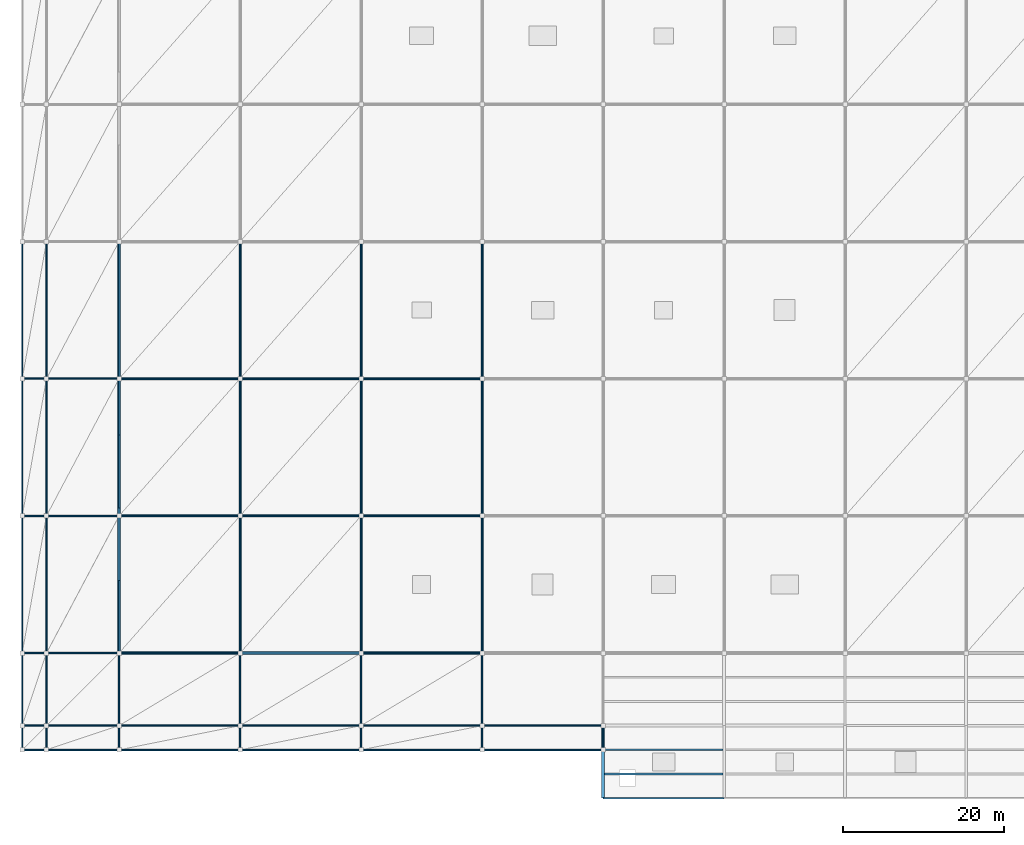
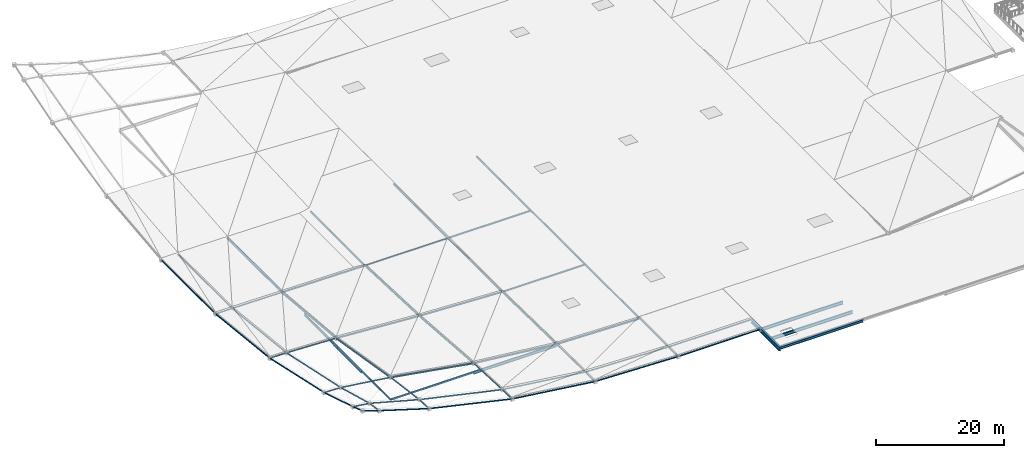
# One storey, part 10 of 69: 58 members, 9 beams.
"""IFC4 building model written with IfcOpenShell, lengths in metres."""

from ifc_helpers import new_model, si_unit, direction, frame, origin, origin_2d, place, context, subcontext, project, spatial, hollow_rectangle, hollow_circle, i_section, extrude, material, material_profile, profile_set, type_object, element, save


model = new_model("IFC4")

# Units and contexts
model_context = context("Model", 3, precision=1e-05, world=origin(), true_north=direction((0.0, 1.0)))
body_context = subcontext(model_context, "Body", "Model", "MODEL_VIEW")
ifc_project = project(units=[si_unit("LENGTHUNIT", "METRE"), si_unit("AREAUNIT", "SQUARE_METRE"), si_unit("VOLUMEUNIT", "CUBIC_METRE"), si_unit("PLANEANGLEUNIT", "RADIAN"), si_unit("MASSUNIT", "GRAM", prefix="KILO")], contexts=[model_context])

# Site, building, storey
site_placement = place(None, origin())
site = spatial("IfcSite", under=ifc_project, at=site_placement, CompositionType="ELEMENT")
building_placement = place(site_placement, origin())
building = spatial("IfcBuilding", under=site, at=building_placement, Name="Qamarlyn Nura Convention Centre", CompositionType="ELEMENT")
storey_placement = place(building_placement, frame((0.0, 0.0, 15.60009765625)))
storey = spatial("IfcBuildingStorey", under=building, at=storey_placement, Name="L03", CompositionType="ELEMENT", Elevation=15.60009765625)

# Beams
ifc_material_1 = material(Name="Steel ASTM A992", Category="steel")
ifc_material_profile_1 = material_profile(ifc_material_1, i_section(OverallWidth=0.35498046875, OverallDepth=0.695068359375, WebThickness=0.015380859375, FlangeThickness=0.02490234375, FilletRadius=0.01806640625, at=origin_2d()), Name="W690X217")
ifc_profile_set_1 = profile_set([ifc_material_profile_1], Name="Steel ASTM A992")
beam_type_1 = type_object("IfcBeamType", Name="BM-GIRD-690A", PredefinedType="BEAM", material=ifc_profile_set_1)
beam_1_placement = place(storey_placement, frame((60.0, 0.0, -0.572509765625), z_axis=(0.0, 1.0, 0.0), x_axis=(-1.0, 0.0, 0.0)))
element("IfcBeam", 1, at=beam_1_placement, inside=storey, type_object=beam_type_1, Name="L03 girder 5 A-B", PredefinedType="BEAM", context=body_context, shape_type="SweptSolid", body=[
    extrude(i_section(OverallWidth=0.35498046875, OverallDepth=0.695068359375, WebThickness=0.015380859375, FlangeThickness=0.02490234375, FilletRadius=0.01806640625, at=origin_2d()), origin(), (0.0, 0.0, 1.0), 9.0),
])
ifc_material_profile_2 = material_profile(ifc_material_1, i_section(OverallWidth=0.22802734375, OverallDepth=0.60791015625, WebThickness=0.01123046875, FlangeThickness=0.017333984375, FilletRadius=0.01611328125, at=origin_2d()), Name="W610X113")
ifc_profile_set_2 = profile_set([ifc_material_profile_2], Name="Steel ASTM A992")
beam_type_2 = type_object("IfcBeamType", Name="BM-JOIST-610", PredefinedType="JOIST", material=ifc_profile_set_2)
for number, where, z_axis, x_axis, name in (
    (2, (60.177490234375, 3.0, -0.47900390625), (1.0, 0.0, 0.0), (0.0, 1.0, 0.0), "L03 composite joist 5-6/A+1"),
    (3, (60.177490234375, 6.0, -0.47900390625), (1.0, 0.0, 0.0), (0.0, 1.0, 0.0), "L03 composite joist 5-6/A+2"),
):
    element("IfcBeam", number, at=place(storey_placement, frame(where, z_axis=z_axis, x_axis=x_axis)), inside=storey, type_object=beam_type_2, Name=name, PredefinedType="JOIST", context=body_context, shape_type="SweptSolid", body=[
        extrude(i_section(OverallWidth=0.22802734375, OverallDepth=0.60791015625, WebThickness=0.01123046875, FlangeThickness=0.017333984375, FilletRadius=0.01611328125, at=origin_2d()), origin(), (0.0, 0.0, 1.0), 14.660400390625),
    ])
ifc_material_profile_3 = material_profile(ifc_material_1, i_section(OverallWidth=0.193115234375, OverallDepth=0.466064453125, WebThickness=0.011474609375, FlangeThickness=0.01904296875, FilletRadius=0.012939453125, at=origin_2d()), Name="W460X97")
ifc_profile_set_3 = profile_set([ifc_material_profile_3], Name="Steel ASTM A992")
beam_type_3 = type_object("IfcBeamType", Name="BM-SPAN-460", PredefinedType="SPANDREL", material=ifc_profile_set_3)
beam_2_placement = place(storey_placement, frame((60.0, 0.0, -0.408203125), z_axis=(1.0, 0.0, 0.0), x_axis=(0.0, 1.0, 0.0)))
element("IfcBeam", 4, at=beam_2_placement, inside=storey, type_object=beam_type_3, Name="L03 girder A 5-6", PredefinedType="SPANDREL", context=body_context, shape_type="SweptSolid", body=[
    extrude(i_section(OverallWidth=0.193115234375, OverallDepth=0.466064453125, WebThickness=0.011474609375, FlangeThickness=0.01904296875, FilletRadius=0.012939453125, at=origin_2d()), origin(), (0.0, 0.0, 1.0), 15.0),
])
beam_3_placement = place(storey_placement, frame((0.0, 36.0, -0.233154296875), z_axis=(0.0, 1.0, 0.0), x_axis=(-1.0, 0.0, 0.0)))
element("IfcBeam", 5, at=beam_3_placement, inside=storey, type_object=beam_type_3, Name="L03 girder 1 E-F", PredefinedType="SPANDREL", context=body_context, shape_type="SweptSolid", body=[
    extrude(i_section(OverallWidth=0.193115234375, OverallDepth=0.466064453125, WebThickness=0.011474609375, FlangeThickness=0.01904296875, FilletRadius=0.012939453125, at=origin_2d()), origin(), (0.0, 0.0, 1.0), 9.0),
])
ifc_material_profile_4 = material_profile(ifc_material_1, i_section(OverallWidth=0.2109375, OverallDepth=0.5390625, WebThickness=0.01171875, FlangeThickness=0.018798828125, FilletRadius=0.013916015625, at=origin_2d()), Name="W530X109")
ifc_profile_set_4 = profile_set([ifc_material_profile_4], Name="Steel ASTM A992")
beam_type_4 = type_object("IfcBeamType", Name="BM-SPAN-530", PredefinedType="SPANDREL", material=ifc_profile_set_4)
beam_4_placement = place(storey_placement, frame((15.0, 18.0, -0.26953125), z_axis=(1.0, 0.0, 0.0), x_axis=(0.0, 1.0, 0.0)))
element("IfcBeam", 6, at=beam_4_placement, inside=storey, type_object=beam_type_4, Name="L03 girder C 2-3", PredefinedType="SPANDREL", context=body_context, shape_type="SweptSolid", body=[
    extrude(i_section(OverallWidth=0.2109375, OverallDepth=0.5390625, WebThickness=0.01171875, FlangeThickness=0.018798828125, FilletRadius=0.013916015625, at=origin_2d()), origin(), (0.0, 0.0, 1.0), 15.0),
])
beam_5_placement = place(storey_placement, frame((0.0, 27.0, -0.26953125), z_axis=(0.0, 1.0, 0.0), x_axis=(-1.0, 0.0, 0.0)))
element("IfcBeam", 7, at=beam_5_placement, inside=storey, type_object=beam_type_4, Name="L03 girder 1 D-E", PredefinedType="SPANDREL", context=body_context, shape_type="SweptSolid", body=[
    extrude(i_section(OverallWidth=0.2109375, OverallDepth=0.5390625, WebThickness=0.01171875, FlangeThickness=0.018798828125, FilletRadius=0.013916015625, at=origin_2d()), origin(), (0.0, 0.0, 1.0), 9.0),
])
ifc_material_2 = material(Name="Steel ASTM A500 Grade C", Category="steel")
ifc_material_profile_5 = material_profile(ifc_material_2, hollow_rectangle(XDim=0.199951171875, YDim=0.300048828125, WallThickness=0.012451171875, InnerFilletRadius=0.012451171875, OuterFilletRadius=0.02490234375, at=origin_2d()), Name="HSS300X200X12.5")
ifc_profile_set_5 = profile_set([ifc_material_profile_5], Name="Steel ASTM A500 Grade C")
beam_type_5 = type_object("IfcBeamType", Name="BM-SPAN-HSS", PredefinedType="SPANDREL", material=ifc_profile_set_5)
beam_6_placement = place(storey_placement, frame((0.0, 18.0, -0.150146484375), z_axis=(1.0, 0.0, 0.0), x_axis=(0.0, 1.0, 0.0)))
element("IfcBeam", 8, at=beam_6_placement, inside=storey, type_object=beam_type_5, Name="L03 girder C 1-2", PredefinedType="SPANDREL", context=body_context, shape_type="SweptSolid", body=[
    extrude(hollow_rectangle(XDim=0.199951171875, YDim=0.300048828125, WallThickness=0.012451171875, InnerFilletRadius=0.012451171875, OuterFilletRadius=0.02490234375, at=origin_2d()), origin(), (0.0, 0.0, 1.0), 15.0),
])
beam_7_placement = place(storey_placement, frame((0.0, 18.0, -0.150146484375), z_axis=(0.0, 1.0, 0.0), x_axis=(-1.0, 0.0, 0.0)))
element("IfcBeam", 9, at=beam_7_placement, inside=storey, type_object=beam_type_5, Name="L03 girder 1 C-D", PredefinedType="SPANDREL", context=body_context, shape_type="SweptSolid", body=[
    extrude(hollow_rectangle(XDim=0.199951171875, YDim=0.300048828125, WallThickness=0.012451171875, InnerFilletRadius=0.012451171875, OuterFilletRadius=0.02490234375, at=origin_2d()), origin(), (0.0, 0.0, 1.0), 9.0),
])

# Members
ifc_material_3 = material(Name="Pearl-white PVDF steel ASTM A500 Grade C", Category="steel")
ifc_material_profile_6 = material_profile(ifc_material_3, hollow_circle(Radius=0.122314453125, WallThickness=0.010009765625, at=origin_2d()), Name="CHS244.5X10")
ifc_profile_set_6 = profile_set([ifc_material_profile_6], Name="Pearl-white PVDF steel ASTM A500 Grade C")
member_type_1 = type_object("IfcMemberType", Name="SF-TC-EAVE", PredefinedType="CHORD", material=ifc_profile_set_6)
member_1_placement = place(storey_placement, frame((-12.0, 6.0, 9.199951171875), z_axis=(0.945117675051, 0.0, -0.326730133758), x_axis=(0.0, 1.0, 0.0)))
element("IfcMember", 10, at=member_1_placement, inside=storey, type_object=member_type_1, Name="ROOF TRUSS space frame top chord X0-0", PredefinedType="CHORD", context=body_context, shape_type="SweptSolid", body=[
    extrude(hollow_circle(Radius=0.122314453125, WallThickness=0.010009765625, at=origin_2d()), origin(), (0.0, 0.0, 1.0), 3.17431640625),
])
member_2_placement = place(storey_placement, frame((-9.0, 6.0, 8.162841796875), z_axis=(0.956184693556, 0.0, -0.29276412316), x_axis=(0.0, 1.0, 0.0)))
element("IfcMember", 11, at=member_2_placement, inside=storey, type_object=member_type_1, Name="ROOF TRUSS space frame top chord X1-0", PredefinedType="CHORD", context=body_context, shape_type="SweptSolid", body=[
    extrude(hollow_circle(Radius=0.122314453125, WallThickness=0.010009765625, at=origin_2d()), origin(), (0.0, 0.0, 1.0), 9.412353515625),
])
member_3_placement = place(storey_placement, frame((0.0, 6.0, 5.4072265625), z_axis=(0.975159042011, 0.0, -0.221505852707), x_axis=(0.0, 1.0, 0.0)))
element("IfcMember", 12, at=member_3_placement, inside=storey, type_object=member_type_1, Name="ROOF TRUSS space frame top chord X2-0", PredefinedType="CHORD", context=body_context, shape_type="SweptSolid", body=[
    extrude(hollow_circle(Radius=0.122314453125, WallThickness=0.010009765625, at=origin_2d()), origin(), (0.0, 0.0, 1.0), 15.382080078125),
])
member_4_placement = place(storey_placement, frame((15.0, 6.0, 2.0), z_axis=(0.991857054963, 0.0, -0.127356124782), x_axis=(0.0, 1.0, 0.0)))
element("IfcMember", 13, at=member_4_placement, inside=storey, type_object=member_type_1, Name="ROOF TRUSS space frame top chord X3-0", PredefinedType="CHORD", context=body_context, shape_type="SweptSolid", body=[
    extrude(hollow_circle(Radius=0.122314453125, WallThickness=0.010009765625, at=origin_2d()), origin(), (0.0, 0.0, 1.0), 15.123046875),
])
member_5_placement = place(storey_placement, frame((30.0, 6.0, 0.073974609375), z_axis=(0.999500838855, 0.0, -0.031592295395), x_axis=(0.0, 1.0, 0.0)))
element("IfcMember", 14, at=member_5_placement, inside=storey, type_object=member_type_1, Name="ROOF TRUSS space frame top chord X4-0", PredefinedType="CHORD", context=body_context, shape_type="SweptSolid", body=[
    extrude(hollow_circle(Radius=0.122314453125, WallThickness=0.010009765625, at=origin_2d()), origin(), (0.0, 0.0, 1.0), 15.007568359375),
])
member_6_placement = place(storey_placement, frame((45.0, 6.0, -0.400146484375), z_axis=(1.0, 0.0, 0.0), x_axis=(0.0, 1.0, 0.0)))
element("IfcMember", 15, at=member_6_placement, inside=storey, type_object=member_type_1, Name="ROOF TRUSS space frame top chord X5-0", PredefinedType="CHORD", context=body_context, shape_type="SweptSolid", body=[
    extrude(hollow_circle(Radius=0.122314453125, WallThickness=0.010009765625, at=origin_2d()), origin(), (0.0, 0.0, 1.0), 15.0),
])
member_7_placement = place(storey_placement, frame((-12.0, 9.0, 8.162841796875), z_axis=(0.990696239711, 0.0, -0.136091736054), x_axis=(0.0, 1.0, 0.0)))
element("IfcMember", 16, at=member_7_placement, inside=storey, type_object=member_type_1, Name="ROOF TRUSS space frame top chord X0-1", PredefinedType="CHORD", context=body_context, shape_type="SweptSolid", body=[
    extrude(hollow_circle(Radius=0.122314453125, WallThickness=0.010009765625, at=origin_2d()), origin(), (0.0, 0.0, 1.0), 3.028076171875),
])
member_8_placement = place(storey_placement, frame((-9.0, 9.0, 7.750732421875), z_axis=(0.965021310393, 0.0, -0.262171452463), x_axis=(0.0, 1.0, 0.0)))
element("IfcMember", 17, at=member_8_placement, inside=storey, type_object=member_type_1, Name="ROOF TRUSS space frame top chord X1-1", PredefinedType="CHORD", context=body_context, shape_type="SweptSolid", body=[
    extrude(hollow_circle(Radius=0.122314453125, WallThickness=0.010009765625, at=origin_2d()), origin(), (0.0, 0.0, 1.0), 9.326171875),
])
member_9_placement = place(storey_placement, frame((0.0, 9.0, 5.3056640625), z_axis=(0.97616125858, 0.0, -0.217046532446), x_axis=(0.0, 1.0, 0.0)))
element("IfcMember", 18, at=member_9_placement, inside=storey, type_object=member_type_1, Name="ROOF TRUSS space frame top chord X2-1", PredefinedType="CHORD", context=body_context, shape_type="SweptSolid", body=[
    extrude(hollow_circle(Radius=0.122314453125, WallThickness=0.010009765625, at=origin_2d()), origin(), (0.0, 0.0, 1.0), 15.3662109375),
])
member_10_placement = place(storey_placement, frame((15.0, 9.0, 1.970458984375), z_axis=(0.992033537048, 0.0, -0.125974050391), x_axis=(0.0, 1.0, 0.0)))
element("IfcMember", 19, at=member_10_placement, inside=storey, type_object=member_type_1, Name="ROOF TRUSS space frame top chord X3-1", PredefinedType="CHORD", context=body_context, shape_type="SweptSolid", body=[
    extrude(hollow_circle(Radius=0.122314453125, WallThickness=0.010009765625, at=origin_2d()), origin(), (0.0, 0.0, 1.0), 15.120361328125),
])
member_11_placement = place(storey_placement, frame((30.0, 9.0, 0.065673828125), z_axis=(0.999518151683, 0.0, -0.031039723851), x_axis=(0.0, 1.0, 0.0)))
element("IfcMember", 20, at=member_11_placement, inside=storey, type_object=member_type_1, Name="ROOF TRUSS space frame top chord X4-1", PredefinedType="CHORD", context=body_context, shape_type="SweptSolid", body=[
    extrude(hollow_circle(Radius=0.122314453125, WallThickness=0.010009765625, at=origin_2d()), origin(), (0.0, 0.0, 1.0), 15.00732421875),
])
member_12_placement = place(storey_placement, frame((45.0, 9.0, -0.400146484375), z_axis=(1.0, 0.0, 0.0), x_axis=(0.0, 1.0, 0.0)))
element("IfcMember", 21, at=member_12_placement, inside=storey, type_object=member_type_1, Name="ROOF TRUSS space frame top chord X5-1", PredefinedType="CHORD", context=body_context, shape_type="SweptSolid", body=[
    extrude(hollow_circle(Radius=0.122314453125, WallThickness=0.010009765625, at=origin_2d()), origin(), (0.0, 0.0, 1.0), 15.0),
])
member_13_placement = place(storey_placement, frame((-12.0, 18.0, 5.4072265625), z_axis=(0.999427439813, 0.0, -0.033834783119), x_axis=(0.0, 1.0, 0.0)))
element("IfcMember", 22, at=member_13_placement, inside=storey, type_object=member_type_1, Name="ROOF TRUSS space frame top chord X0-2", PredefinedType="CHORD", context=body_context, shape_type="SweptSolid", body=[
    extrude(hollow_circle(Radius=0.122314453125, WallThickness=0.010009765625, at=origin_2d()), origin(), (0.0, 0.0, 1.0), 3.001708984375),
])
member_14_placement = place(storey_placement, frame((-9.0, 18.0, 5.3056640625), z_axis=(0.991347974495, 0.0, -0.131260022339), x_axis=(0.0, 1.0, 0.0)))
element("IfcMember", 23, at=member_14_placement, inside=storey, type_object=member_type_1, Name="ROOF TRUSS space frame top chord X1-2", PredefinedType="CHORD", context=body_context, shape_type="SweptSolid", body=[
    extrude(hollow_circle(Radius=0.122314453125, WallThickness=0.010009765625, at=origin_2d()), origin(), (0.0, 0.0, 1.0), 9.07861328125),
])
member_15_placement = place(storey_placement, frame((-12.0, 35.0, 1.657470703125), z_axis=(0.999964186155, 0.0, -0.008463238555), x_axis=(0.0, 1.0, 0.0)))
element("IfcMember", 24, at=member_15_placement, inside=storey, type_object=member_type_1, Name="ROOF TRUSS space frame top chord X0-3", PredefinedType="CHORD", context=body_context, shape_type="SweptSolid", body=[
    extrude(hollow_circle(Radius=0.122314453125, WallThickness=0.010009765625, at=origin_2d()), origin(), (0.0, 0.0, 1.0), 3.0),
])
member_16_placement = place(storey_placement, frame((-9.0, 35.0, 1.632080078125), z_axis=(0.999251614623, 0.0, -0.038680882543), x_axis=(0.0, 1.0, 0.0)))
element("IfcMember", 25, at=member_16_placement, inside=storey, type_object=member_type_1, Name="ROOF TRUSS space frame top chord X1-3", PredefinedType="CHORD", context=body_context, shape_type="SweptSolid", body=[
    extrude(hollow_circle(Radius=0.122314453125, WallThickness=0.010009765625, at=origin_2d()), origin(), (0.0, 0.0, 1.0), 9.0068359375),
])
member_17_placement = place(storey_placement, frame((-12.0, 52.0, -0.189453125), z_axis=(0.999998539689, 0.0, -0.001708981879), x_axis=(0.0, 1.0, 0.0)))
element("IfcMember", 26, at=member_17_placement, inside=storey, type_object=member_type_1, Name="ROOF TRUSS space frame top chord X0-4", PredefinedType="CHORD", context=body_context, shape_type="SweptSolid", body=[
    extrude(hollow_circle(Radius=0.122314453125, WallThickness=0.010009765625, at=origin_2d()), origin(), (0.0, 0.0, 1.0), 3.0),
])
member_18_placement = place(storey_placement, frame((-9.0, 52.0, -0.194580078125), z_axis=(0.999971361199, 0.0, -0.007568142626), x_axis=(0.0, 1.0, 0.0)))
element("IfcMember", 27, at=member_18_placement, inside=storey, type_object=member_type_1, Name="ROOF TRUSS space frame top chord X1-4", PredefinedType="CHORD", context=body_context, shape_type="SweptSolid", body=[
    extrude(hollow_circle(Radius=0.122314453125, WallThickness=0.010009765625, at=origin_2d()), origin(), (0.0, 0.0, 1.0), 9.000244140625),
])
member_19_placement = place(storey_placement, frame((-12.0, 6.0, 9.199951171875), z_axis=(0.0, 0.945117675051, -0.326730133758), x_axis=(-1.0, 0.0, 0.0)))
element("IfcMember", 28, at=member_19_placement, inside=storey, type_object=member_type_1, Name="ROOF TRUSS space frame top chord Y0-0", PredefinedType="CHORD", context=body_context, shape_type="SweptSolid", body=[
    extrude(hollow_circle(Radius=0.122314453125, WallThickness=0.010009765625, at=origin_2d()), origin(), (0.0, 0.0, 1.0), 3.17431640625),
])
member_20_placement = place(storey_placement, frame((-12.0, 9.0, 8.162841796875), z_axis=(0.0, 0.956184693556, -0.29276412316), x_axis=(-1.0, 0.0, 0.0)))
element("IfcMember", 29, at=member_20_placement, inside=storey, type_object=member_type_1, Name="ROOF TRUSS space frame top chord Y0-1", PredefinedType="CHORD", context=body_context, shape_type="SweptSolid", body=[
    extrude(hollow_circle(Radius=0.122314453125, WallThickness=0.010009765625, at=origin_2d()), origin(), (0.0, 0.0, 1.0), 9.412353515625),
])
member_21_placement = place(storey_placement, frame((-12.0, 18.0, 5.4072265625), z_axis=(0.0, 0.976526723381, -0.21539628252), x_axis=(-1.0, 0.0, 0.0)))
element("IfcMember", 30, at=member_21_placement, inside=storey, type_object=member_type_1, Name="ROOF TRUSS space frame top chord Y0-2", PredefinedType="CHORD", context=body_context, shape_type="SweptSolid", body=[
    extrude(hollow_circle(Radius=0.122314453125, WallThickness=0.010009765625, at=origin_2d()), origin(), (0.0, 0.0, 1.0), 17.40869140625),
])
member_22_placement = place(storey_placement, frame((-12.0, 35.0, 1.657470703125), z_axis=(0.0, 0.994150129904, -0.108007033156), x_axis=(-1.0, 0.0, 0.0)))
element("IfcMember", 31, at=member_22_placement, inside=storey, type_object=member_type_1, Name="ROOF TRUSS space frame top chord Y0-3", PredefinedType="CHORD", context=body_context, shape_type="SweptSolid", body=[
    extrude(hollow_circle(Radius=0.122314453125, WallThickness=0.010009765625, at=origin_2d()), origin(), (0.0, 0.0, 1.0), 17.10009765625),
])
member_23_placement = place(storey_placement, frame((-12.0, 52.0, -0.189453125), z_axis=(0.0, 1.0, 0.0), x_axis=(-1.0, 0.0, 0.0)))
element("IfcMember", 32, at=member_23_placement, inside=storey, type_object=member_type_1, Name="ROOF TRUSS space frame top chord Y0-4", PredefinedType="CHORD", context=body_context, shape_type="SweptSolid", body=[
    extrude(hollow_circle(Radius=0.122314453125, WallThickness=0.010009765625, at=origin_2d()), origin(), (0.0, 0.0, 1.0), 17.0),
])
member_24_placement = place(storey_placement, frame((-9.0, 6.0, 8.162841796875), z_axis=(0.0, 0.990696239711, -0.136091736054), x_axis=(-1.0, 0.0, 0.0)))
element("IfcMember", 33, at=member_24_placement, inside=storey, type_object=member_type_1, Name="ROOF TRUSS space frame top chord Y1-0", PredefinedType="CHORD", context=body_context, shape_type="SweptSolid", body=[
    extrude(hollow_circle(Radius=0.122314453125, WallThickness=0.010009765625, at=origin_2d()), origin(), (0.0, 0.0, 1.0), 3.028076171875),
])
member_25_placement = place(storey_placement, frame((-9.0, 9.0, 7.750732421875), z_axis=(0.0, 0.965021310393, -0.262171452463), x_axis=(-1.0, 0.0, 0.0)))
element("IfcMember", 34, at=member_25_placement, inside=storey, type_object=member_type_1, Name="ROOF TRUSS space frame top chord Y1-1", PredefinedType="CHORD", context=body_context, shape_type="SweptSolid", body=[
    extrude(hollow_circle(Radius=0.122314453125, WallThickness=0.010009765625, at=origin_2d()), origin(), (0.0, 0.0, 1.0), 9.326171875),
])
member_26_placement = place(storey_placement, frame((-9.0, 18.0, 5.3056640625), z_axis=(0.0, 0.977439000532, -0.211217897533), x_axis=(-1.0, 0.0, 0.0)))
element("IfcMember", 35, at=member_26_placement, inside=storey, type_object=member_type_1, Name="ROOF TRUSS space frame top chord Y1-2", PredefinedType="CHORD", context=body_context, shape_type="SweptSolid", body=[
    extrude(hollow_circle(Radius=0.122314453125, WallThickness=0.010009765625, at=origin_2d()), origin(), (0.0, 0.0, 1.0), 17.392333984375),
])
member_27_placement = place(storey_placement, frame((-9.0, 35.0, 1.632080078125), z_axis=(0.0, 0.994276696509, -0.106835625047), x_axis=(-1.0, 0.0, 0.0)))
element("IfcMember", 36, at=member_27_placement, inside=storey, type_object=member_type_1, Name="ROOF TRUSS space frame top chord Y1-3", PredefinedType="CHORD", context=body_context, shape_type="SweptSolid", body=[
    extrude(hollow_circle(Radius=0.122314453125, WallThickness=0.010009765625, at=origin_2d()), origin(), (0.0, 0.0, 1.0), 17.097900390625),
])
member_28_placement = place(storey_placement, frame((-9.0, 52.0, -0.194580078125), z_axis=(0.0, 1.0, 0.0), x_axis=(-1.0, 0.0, 0.0)))
element("IfcMember", 37, at=member_28_placement, inside=storey, type_object=member_type_1, Name="ROOF TRUSS space frame top chord Y1-4", PredefinedType="CHORD", context=body_context, shape_type="SweptSolid", body=[
    extrude(hollow_circle(Radius=0.122314453125, WallThickness=0.010009765625, at=origin_2d()), origin(), (0.0, 0.0, 1.0), 17.0),
])
member_29_placement = place(storey_placement, frame((0.0, 6.0, 5.4072265625), z_axis=(0.0, 0.999427439813, -0.033834783119), x_axis=(-1.0, 0.0, 0.0)))
element("IfcMember", 38, at=member_29_placement, inside=storey, type_object=member_type_1, Name="ROOF TRUSS space frame top chord Y2-0", PredefinedType="CHORD", context=body_context, shape_type="SweptSolid", body=[
    extrude(hollow_circle(Radius=0.122314453125, WallThickness=0.010009765625, at=origin_2d()), origin(), (0.0, 0.0, 1.0), 3.001708984375),
])
member_30_placement = place(storey_placement, frame((0.0, 9.0, 5.3056640625), z_axis=(0.0, 0.991347974495, -0.131260022339), x_axis=(-1.0, 0.0, 0.0)))
element("IfcMember", 39, at=member_30_placement, inside=storey, type_object=member_type_1, Name="ROOF TRUSS space frame top chord Y2-1", PredefinedType="CHORD", context=body_context, shape_type="SweptSolid", body=[
    extrude(hollow_circle(Radius=0.122314453125, WallThickness=0.010009765625, at=origin_2d()), origin(), (0.0, 0.0, 1.0), 9.07861328125),
])
member_31_placement = place(storey_placement, frame((15.0, 6.0, 2.0), z_axis=(0.0, 0.99995152177, -0.009846527843), x_axis=(-1.0, 0.0, 0.0)))
element("IfcMember", 40, at=member_31_placement, inside=storey, type_object=member_type_1, Name="ROOF TRUSS space frame top chord Y3-0", PredefinedType="CHORD", context=body_context, shape_type="SweptSolid", body=[
    extrude(hollow_circle(Radius=0.122314453125, WallThickness=0.010009765625, at=origin_2d()), origin(), (0.0, 0.0, 1.0), 3.000244140625),
])
member_32_placement = place(storey_placement, frame((15.0, 9.0, 1.970458984375), z_axis=(0.0, 0.999004649677, -0.044606164642), x_axis=(-1.0, 0.0, 0.0)))
element("IfcMember", 41, at=member_32_placement, inside=storey, type_object=member_type_1, Name="ROOF TRUSS space frame top chord Y3-1", PredefinedType="CHORD", context=body_context, shape_type="SweptSolid", body=[
    extrude(hollow_circle(Radius=0.122314453125, WallThickness=0.010009765625, at=origin_2d()), origin(), (0.0, 0.0, 1.0), 9.009033203125),
])
member_33_placement = place(storey_placement, frame((30.0, 6.0, 0.073974609375), z_axis=(0.0, 0.999996172079, -0.002766916492), x_axis=(-1.0, 0.0, 0.0)))
element("IfcMember", 42, at=member_33_placement, inside=storey, type_object=member_type_1, Name="ROOF TRUSS space frame top chord Y4-0", PredefinedType="CHORD", context=body_context, shape_type="SweptSolid", body=[
    extrude(hollow_circle(Radius=0.122314453125, WallThickness=0.010009765625, at=origin_2d()), origin(), (0.0, 0.0, 1.0), 3.0),
])
member_34_placement = place(storey_placement, frame((30.0, 9.0, 0.065673828125), z_axis=(0.0, 0.999918041181, -0.012802770059), x_axis=(-1.0, 0.0, 0.0)))
element("IfcMember", 43, at=member_34_placement, inside=storey, type_object=member_type_1, Name="ROOF TRUSS space frame top chord Y4-1", PredefinedType="CHORD", context=body_context, shape_type="SweptSolid", body=[
    extrude(hollow_circle(Radius=0.122314453125, WallThickness=0.010009765625, at=origin_2d()), origin(), (0.0, 0.0, 1.0), 9.000732421875),
])
member_35_placement = place(storey_placement, frame((45.0, 6.0, -0.400146484375), z_axis=(0.0, 1.0, 0.0), x_axis=(-1.0, 0.0, 0.0)))
element("IfcMember", 44, at=member_35_placement, inside=storey, type_object=member_type_1, Name="ROOF TRUSS space frame top chord Y5-0", PredefinedType="CHORD", context=body_context, shape_type="SweptSolid", body=[
    extrude(hollow_circle(Radius=0.122314453125, WallThickness=0.010009765625, at=origin_2d()), origin(), (0.0, 0.0, 1.0), 3.0),
])
member_36_placement = place(storey_placement, frame((45.0, 9.0, -0.400146484375), z_axis=(0.0, 1.0, 0.0), x_axis=(-1.0, 0.0, 0.0)))
element("IfcMember", 45, at=member_36_placement, inside=storey, type_object=member_type_1, Name="ROOF TRUSS space frame top chord Y5-1", PredefinedType="CHORD", context=body_context, shape_type="SweptSolid", body=[
    extrude(hollow_circle(Radius=0.122314453125, WallThickness=0.010009765625, at=origin_2d()), origin(), (0.0, 0.0, 1.0), 9.0),
])
member_37_placement = place(storey_placement, frame((60.0, 6.0, -0.400146484375), z_axis=(0.0, 1.0, 0.0), x_axis=(-1.0, 0.0, 0.0)))
element("IfcMember", 46, at=member_37_placement, inside=storey, type_object=member_type_1, Name="ROOF TRUSS space frame top chord Y6-0", PredefinedType="CHORD", context=body_context, shape_type="SweptSolid", body=[
    extrude(hollow_circle(Radius=0.122314453125, WallThickness=0.010009765625, at=origin_2d()), origin(), (0.0, 0.0, 1.0), 3.0),
])
ifc_material_profile_7 = material_profile(ifc_material_3, hollow_circle(Radius=0.177734375, WallThickness=0.01611328125, at=origin_2d()), Name="CHS355.6X16")
ifc_profile_set_7 = profile_set([ifc_material_profile_7], Name="Pearl-white PVDF steel ASTM A500 Grade C")
member_type_2 = type_object("IfcMemberType", Name="SF-TC-HEAVY", PredefinedType="CHORD", material=ifc_profile_set_7)
member_38_placement = place(storey_placement, frame((0.0, 18.0, 4.114013671875), z_axis=(0.985905647627, 0.0, -0.167302283238), x_axis=(0.0, 1.0, 0.0)))
element("IfcMember", 47, at=member_38_placement, inside=storey, type_object=member_type_2, Name="ROOF TRUSS space frame top chord X2-2", PredefinedType="CHORD", context=body_context, shape_type="SweptSolid", body=[
    extrude(hollow_circle(Radius=0.177734375, WallThickness=0.01611328125, at=origin_2d()), origin(), (0.0, 0.0, 1.0), 15.21435546875),
])
member_39_placement = place(storey_placement, frame((15.0, 18.0, 1.568603515625), z_axis=(0.994231511141, 0.0, -0.107255313409), x_axis=(0.0, 1.0, 0.0)))
element("IfcMember", 48, at=member_39_placement, inside=storey, type_object=member_type_2, Name="ROOF TRUSS space frame top chord X3-2", PredefinedType="CHORD", context=body_context, shape_type="SweptSolid", body=[
    extrude(hollow_circle(Radius=0.177734375, WallThickness=0.01611328125, at=origin_2d()), origin(), (0.0, 0.0, 1.0), 15.0869140625),
])
member_40_placement = place(storey_placement, frame((30.0, 18.0, -0.049560546875), z_axis=(0.999726977409, 0.0, -0.023366014641), x_axis=(0.0, 1.0, 0.0)))
element("IfcMember", 49, at=member_40_placement, inside=storey, type_object=member_type_2, Name="ROOF TRUSS space frame top chord X4-2", PredefinedType="CHORD", context=body_context, shape_type="SweptSolid", body=[
    extrude(hollow_circle(Radius=0.177734375, WallThickness=0.01611328125, at=origin_2d()), origin(), (0.0, 0.0, 1.0), 15.004150390625),
])
member_41_placement = place(storey_placement, frame((0.0, 18.0, 4.114013671875), z_axis=(0.0, 0.986422241624, -0.164228990222), x_axis=(-1.0, 0.0, 0.0)))
element("IfcMember", 50, at=member_41_placement, inside=storey, type_object=member_type_2, Name="ROOF TRUSS space frame top chord Y2-2", PredefinedType="CHORD", context=body_context, shape_type="SweptSolid", body=[
    extrude(hollow_circle(Radius=0.177734375, WallThickness=0.01611328125, at=origin_2d()), origin(), (0.0, 0.0, 1.0), 17.23388671875),
])
member_42_placement = place(storey_placement, frame((0.0, 35.0, 1.28369140625), z_axis=(0.0, 0.995888281299, -0.090589906562), x_axis=(-1.0, 0.0, 0.0)))
element("IfcMember", 51, at=member_42_placement, inside=storey, type_object=member_type_2, Name="ROOF TRUSS space frame top chord Y2-3", PredefinedType="CHORD", context=body_context, shape_type="SweptSolid", body=[
    extrude(hollow_circle(Radius=0.177734375, WallThickness=0.01611328125, at=origin_2d()), origin(), (0.0, 0.0, 1.0), 17.070068359375),
])
member_43_placement = place(storey_placement, frame((0.0, 52.0, -0.2626953125), z_axis=(0.0, 1.0, 0.0), x_axis=(-1.0, 0.0, 0.0)))
element("IfcMember", 52, at=member_43_placement, inside=storey, type_object=member_type_2, Name="ROOF TRUSS space frame top chord Y2-4", PredefinedType="CHORD", context=body_context, shape_type="SweptSolid", body=[
    extrude(hollow_circle(Radius=0.177734375, WallThickness=0.01611328125, at=origin_2d()), origin(), (0.0, 0.0, 1.0), 17.0),
])
ifc_material_profile_8 = material_profile(ifc_material_3, hollow_circle(Radius=0.161865234375, WallThickness=0.012451171875, at=origin_2d()), Name="CHS323.9X12.5")
ifc_profile_set_8 = profile_set([ifc_material_profile_8], Name="Pearl-white PVDF steel ASTM A500 Grade C")
member_type_3 = type_object("IfcMemberType", Name="SF-TC-MAIN", PredefinedType="CHORD", material=ifc_profile_set_8)
member_44_placement = place(storey_placement, frame((0.0, 35.0, 1.28369140625), z_axis=(0.997771123533, 0.0, -0.066729191839), x_axis=(0.0, 1.0, 0.0)))
element("IfcMember", 53, at=member_44_placement, inside=storey, type_object=member_type_3, Name="ROOF TRUSS space frame top chord X2-3", PredefinedType="CHORD", context=body_context, shape_type="SweptSolid", body=[
    extrude(hollow_circle(Radius=0.161865234375, WallThickness=0.012451171875, at=origin_2d()), origin(), (0.0, 0.0, 1.0), 15.033447265625),
])
member_45_placement = place(storey_placement, frame((15.0, 35.0, 0.280517578125), z_axis=(0.999057783726, 0.0, -0.043399824622), x_axis=(0.0, 1.0, 0.0)))
element("IfcMember", 54, at=member_45_placement, inside=storey, type_object=member_type_3, Name="ROOF TRUSS space frame top chord X3-3", PredefinedType="CHORD", context=body_context, shape_type="SweptSolid", body=[
    extrude(hollow_circle(Radius=0.161865234375, WallThickness=0.012451171875, at=origin_2d()), origin(), (0.0, 0.0, 1.0), 15.01416015625),
])
member_46_placement = place(storey_placement, frame((30.0, 35.0, -0.37109375), z_axis=(0.999998124313, 0.0, -0.001936845325), x_axis=(0.0, 1.0, 0.0)))
element("IfcMember", 55, at=member_46_placement, inside=storey, type_object=member_type_3, Name="ROOF TRUSS space frame top chord X4-3", PredefinedType="CHORD", context=body_context, shape_type="SweptSolid", body=[
    extrude(hollow_circle(Radius=0.161865234375, WallThickness=0.012451171875, at=origin_2d()), origin(), (0.0, 0.0, 1.0), 15.0),
])
member_47_placement = place(storey_placement, frame((0.0, 52.0, -0.2626953125), z_axis=(0.999958908574, 0.0, -0.009065382684), x_axis=(0.0, 1.0, 0.0)))
element("IfcMember", 56, at=member_47_placement, inside=storey, type_object=member_type_3, Name="ROOF TRUSS space frame top chord X2-4", PredefinedType="CHORD", context=body_context, shape_type="SweptSolid", body=[
    extrude(hollow_circle(Radius=0.161865234375, WallThickness=0.012451171875, at=origin_2d()), origin(), (0.0, 0.0, 1.0), 15.000732421875),
])
for number, where, z_axis, x_axis, name in (
    (57, (15.0, 52.0, -0.398681640625), (0.999999995232, 0.0, -9.765625e-05), (0.0, 1.0, 0.0), "ROOF TRUSS space frame top chord X3-4"),
    (58, (30.0, 52.0, -0.400146484375), (1.0, 0.0, 0.0), (0.0, 1.0, 0.0), "ROOF TRUSS space frame top chord X4-4"),
):
    element("IfcMember", number, at=place(storey_placement, frame(where, z_axis=z_axis, x_axis=x_axis)), inside=storey, type_object=member_type_3, Name=name, PredefinedType="CHORD", context=body_context, shape_type="SweptSolid", body=[
        extrude(hollow_circle(Radius=0.161865234375, WallThickness=0.012451171875, at=origin_2d()), origin(), (0.0, 0.0, 1.0), 15.0),
    ])
member_48_placement = place(storey_placement, frame((15.0, 18.0, 1.568603515625), z_axis=(0.0, 0.997141772719, -0.075553193831), x_axis=(-1.0, 0.0, 0.0)))
element("IfcMember", 59, at=member_48_placement, inside=storey, type_object=member_type_3, Name="ROOF TRUSS space frame top chord Y3-2", PredefinedType="CHORD", context=body_context, shape_type="SweptSolid", body=[
    extrude(hollow_circle(Radius=0.161865234375, WallThickness=0.012451171875, at=origin_2d()), origin(), (0.0, 0.0, 1.0), 17.048828125),
])
member_49_placement = place(storey_placement, frame((15.0, 35.0, 0.280517578125), z_axis=(0.0, 0.999202837298, -0.039921046263), x_axis=(-1.0, 0.0, 0.0)))
element("IfcMember", 60, at=member_49_placement, inside=storey, type_object=member_type_3, Name="ROOF TRUSS space frame top chord Y3-3", PredefinedType="CHORD", context=body_context, shape_type="SweptSolid", body=[
    extrude(hollow_circle(Radius=0.161865234375, WallThickness=0.012451171875, at=origin_2d()), origin(), (0.0, 0.0, 1.0), 17.013671875),
])
member_50_placement = place(storey_placement, frame((15.0, 52.0, -0.398681640625), z_axis=(0.0, 1.0, 0.0), x_axis=(-1.0, 0.0, 0.0)))
element("IfcMember", 61, at=member_50_placement, inside=storey, type_object=member_type_3, Name="ROOF TRUSS space frame top chord Y3-4", PredefinedType="CHORD", context=body_context, shape_type="SweptSolid", body=[
    extrude(hollow_circle(Radius=0.161865234375, WallThickness=0.012451171875, at=origin_2d()), origin(), (0.0, 0.0, 1.0), 17.0),
])
member_51_placement = place(storey_placement, frame((30.0, 18.0, -0.049560546875), z_axis=(0.0, 0.999821183613, -0.018910335748), x_axis=(-1.0, 0.0, 0.0)))
element("IfcMember", 62, at=member_51_placement, inside=storey, type_object=member_type_3, Name="ROOF TRUSS space frame top chord Y4-2", PredefinedType="CHORD", context=body_context, shape_type="SweptSolid", body=[
    extrude(hollow_circle(Radius=0.161865234375, WallThickness=0.012451171875, at=origin_2d()), origin(), (0.0, 0.0, 1.0), 17.0029296875),
])
for number, where, z_axis, x_axis, name in (
    (63, (30.0, 35.0, -0.37109375), (0.0, 0.999998539689, -0.001708981879), (-1.0, 0.0, 0.0), "ROOF TRUSS space frame top chord Y4-3"),
    (64, (30.0, 52.0, -0.400146484375), (0.0, 1.0, 0.0), (-1.0, 0.0, 0.0), "ROOF TRUSS space frame top chord Y4-4"),
    (65, (45.0, 18.0, -0.400146484375), (0.0, 1.0, 0.0), (-1.0, 0.0, 0.0), "ROOF TRUSS space frame top chord Y5-2"),
    (66, (45.0, 35.0, -0.400146484375), (0.0, 1.0, 0.0), (-1.0, 0.0, 0.0), "ROOF TRUSS space frame top chord Y5-3"),
    (67, (45.0, 52.0, -0.400146484375), (0.0, 1.0, 0.0), (-1.0, 0.0, 0.0), "ROOF TRUSS space frame top chord Y5-4"),
):
    element("IfcMember", number, at=place(storey_placement, frame(where, z_axis=z_axis, x_axis=x_axis)), inside=storey, type_object=member_type_3, Name=name, PredefinedType="CHORD", context=body_context, shape_type="SweptSolid", body=[
        extrude(hollow_circle(Radius=0.161865234375, WallThickness=0.012451171875, at=origin_2d()), origin(), (0.0, 0.0, 1.0), 17.0),
    ])

save(model, "model.ifc")
